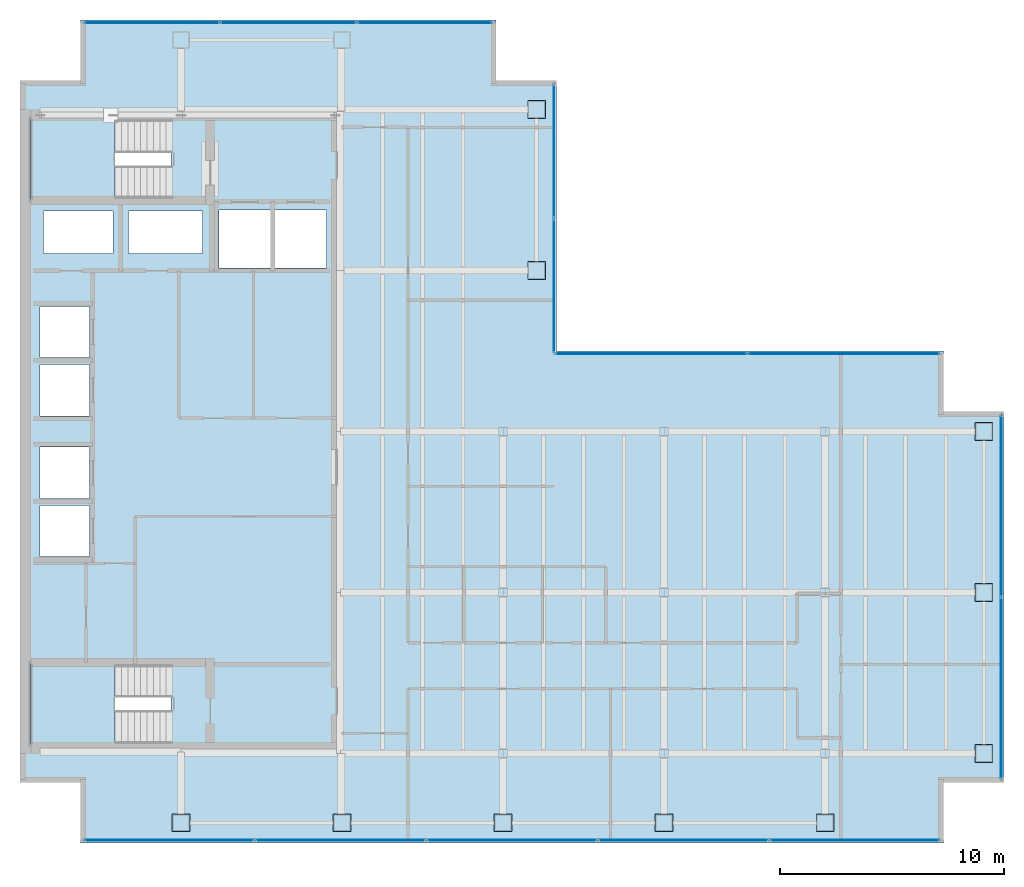
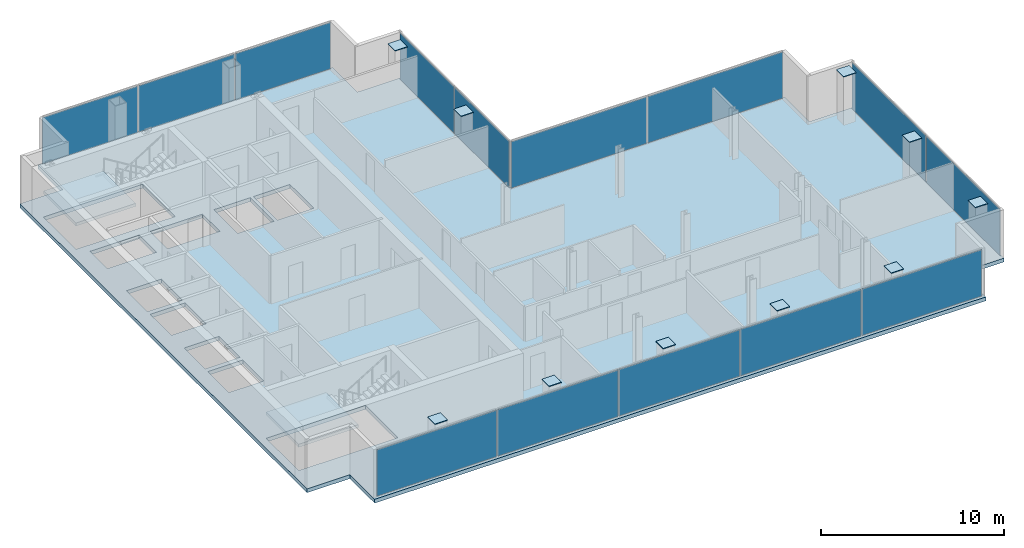
# One storey, part 19 of 23: 24 plates, 3 slabs, 10 openings, 7 elements without a shape of their own.
"""IFC4 building model written with IfcOpenShell, lengths in metres."""

import ifcopenshell
import ifcopenshell.guid

model = None  # the IFC model being written
_history = None  # IfcOwnerHistory: only IFC2X3 demands one
_inside = {}  # id of a spatial element -> (the spatial element, [elements in it])
_under = {}  # id of a project, library or spatial element -> (it, [spatial elements below it])
_declared = {}  # id of a project -> (the project, [libraries it declares])
_typed = {}  # id of a type object -> (the type object, [elements of that type])
_made_of = {}  # id of a material, layer set ... -> (it, [elements and type objects made of it])


def new_model(schema):
    """Start an empty IFC model of exactly this schema.

    Asked for "IFC4X3", IfcOpenShell would pick the latest addendum, in which some entities
    have other attributes; the version numbers below select the first issue.
    IFC2X3 requires an IfcOwnerHistory on every rooted entity: one is made here for all.
    """
    global model, _history
    if schema == "IFC4X3":
        model = ifcopenshell.file(schema_version=(4, 3, 0, 0))
    else:
        model = ifcopenshell.file(schema=schema)
    _inside.clear()
    _under.clear()
    _declared.clear()
    _typed.clear()
    _made_of.clear()
    _history = None
    if model.schema == "IFC2X3":
        org = make("IfcOrganization", Name="unknown")
        user = make(
            "IfcPersonAndOrganization",
            ThePerson=make("IfcPerson", FamilyName="unknown"),
            TheOrganization=org,
        )
        app = make(
            "IfcApplication",
            ApplicationDeveloper=org,
            Version="unknown",
            ApplicationFullName="unknown",
            ApplicationIdentifier="unknown",
        )
        _history = make(
            "IfcOwnerHistory",
            OwningUser=user,
            OwningApplication=app,
            ChangeAction="ADDED",
            CreationDate=0,
        )
    return model


def make(cls, **values):
    """One entity of the class cls with the attributes given. An attribute that is None is left unset."""
    return model.create_entity(
        cls, **{name: value for name, value in values.items() if value is not None}
    )


def rooted(cls, **values):
    """An entity with a GlobalId (a new one), such as an element, a storey or a relation."""
    return make(cls, GlobalId=ifcopenshell.guid.new(), OwnerHistory=_history, **values)


def si_unit(unit_type, name, prefix=None):
    """IfcSIUnit, for example si_unit("LENGTHUNIT", "METRE", prefix="MILLI")."""
    return make("IfcSIUnit", UnitType=unit_type, Prefix=prefix, Name=name)


def assignment(units):
    """IfcUnitAssignment: the units of a project."""
    return None if units is None else make("IfcUnitAssignment", Units=units)


def point(xyz):
    """IfcCartesianPoint."""
    return None if xyz is None else make("IfcCartesianPoint", Coordinates=xyz)


def direction(xyz):
    """IfcDirection."""
    return None if xyz is None else make("IfcDirection", DirectionRatios=xyz)


def frame(location, z_axis=None, x_axis=None):
    """IfcAxis2Placement3D, a coordinate frame: its origin and axes. An axis left out is left unset."""
    return make(
        "IfcAxis2Placement3D",
        Location=point(location),
        Axis=direction(z_axis),
        RefDirection=direction(x_axis),
    )


def frame_2d(location, x_axis=None):
    """IfcAxis2Placement2D, a coordinate frame in the plane: its origin and x axis."""
    return make(
        "IfcAxis2Placement2D", Location=point(location), RefDirection=direction(x_axis)
    )


def origin():
    """The frame at (0, 0, 0) with its axes left unset."""
    return frame((0.0, 0.0, 0.0))


def origin_2d():
    """The frame at (0, 0) in the plane with its x axis left unset."""
    return frame_2d((0.0, 0.0))


def place(relative_to, where):
    """IfcLocalPlacement: puts the frame where relative to a parent placement (None: the world)."""
    return make(
        "IfcLocalPlacement", PlacementRelTo=relative_to, RelativePlacement=where
    )


def context(
    kind, dimensions, precision=None, world=None, true_north=None, identifier=None
):
    """IfcGeometricRepresentationContext, for example the 3D "Model" context."""
    return make(
        "IfcGeometricRepresentationContext",
        ContextIdentifier=identifier,
        ContextType=kind,
        CoordinateSpaceDimension=dimensions,
        Precision=precision,
        WorldCoordinateSystem=world,
        TrueNorth=true_north,
    )


def subcontext(parent, identifier, kind, view, scale=None):
    """IfcGeometricRepresentationSubContext, for example "Body" below "Model"."""
    return make(
        "IfcGeometricRepresentationSubContext",
        ContextIdentifier=identifier,
        ContextType=kind,
        ParentContext=parent,
        TargetScale=scale,
        TargetView=view,
    )


def project(units=None, contexts=None):
    """IfcProject with its units and contexts."""
    return rooted(
        "IfcProject",
        Name="project",
        RepresentationContexts=contexts,
        UnitsInContext=assignment(units),
    )


def spatial(cls, under=None, at=None, **own):
    """A site, building, storey or space (cls), placed at a placement, below another one or the project."""
    s = rooted(cls, ObjectPlacement=at, **own)
    if under is not None:
        _under.setdefault(under.id(), (under, []))[1].append(s)
    return s


def polyline(points):
    """IfcPolyline through the points."""
    return make("IfcPolyline", Points=[point(p) for p in points])


def profile(cls, at=None, kind="AREA", **sizes):
    """A parametric profile (cls). Its sizes go by their IFC names, for example OverallWidth=200.0."""
    return make(cls, ProfileType=kind, Position=at, **sizes)


def rectangle(**sizes):
    """IfcRectangleProfileDef."""
    return profile("IfcRectangleProfileDef", **sizes)


def outline(outer, holes=None, kind="AREA"):
    """IfcArbitraryClosedProfileDef: a profile drawn as a closed curve; with holes, ...WithVoids."""
    if holes is None:
        return make("IfcArbitraryClosedProfileDef", ProfileType=kind, OuterCurve=outer)
    return make(
        "IfcArbitraryProfileDefWithVoids",
        ProfileType=kind,
        OuterCurve=outer,
        InnerCurves=holes,
    )


def extrude(swept, where, along, depth):
    """IfcExtrudedAreaSolid: the profile swept, set in the frame where, extruded along a direction by depth."""
    return make(
        "IfcExtrudedAreaSolid",
        SweptArea=swept,
        Position=where,
        ExtrudedDirection=direction(along),
        Depth=depth,
    )


def shape(context_of_items, identifier, shape_type, items):
    """IfcShapeRepresentation: the items that make up one representation, for example the "Body"."""
    return make(
        "IfcShapeRepresentation",
        ContextOfItems=context_of_items,
        RepresentationIdentifier=identifier,
        RepresentationType=shape_type,
        Items=items,
    )


def material(Name=None, Category=None):
    """IfcMaterial."""
    return make("IfcMaterial", Name=Name, Category=Category)


def layer(
    of_material, thickness, ventilated=None, Name=None, Category=None, Priority=None
):
    """IfcMaterialLayer: one layer of a wall or slab, of a material (None: an air gap)."""
    return make(
        "IfcMaterialLayer",
        Material=of_material,
        LayerThickness=thickness,
        IsVentilated=ventilated,
        Name=Name,
        Category=Category,
        Priority=Priority,
    )


def layer_set(layers, Name=None):
    """IfcMaterialLayerSet."""
    return make("IfcMaterialLayerSet", MaterialLayers=layers, LayerSetName=Name)


def made_of(thing, what):
    """Note that an element or type object is made of a material, layer set ...; save() writes the relation."""
    if what is not None:
        _made_of.setdefault(what.id(), (what, []))[1].append(thing)
    return thing


def type_object(cls, material=None, **own):
    """A type object (cls), such as IfcWallType, which elements share."""
    return made_of(rooted(cls, **own), material)


def element(
    cls,
    number,
    at=None,
    inside=None,
    cuts=None,
    type_object=None,
    material=None,
    context=None,
    identifier="Body",
    shape_type=None,
    held_by="IfcProductDefinitionShape",
    body=None,
    shapes=None,
    **own,
):
    """One element of the class cls, such as IfcWall. Its Tag is "e" and its number.

    at: its placement. inside: the storey or other place that contains it. cuts: it is an
    opening in that element (IfcRelVoidsElement). A single representation is given by context,
    identifier, shape_type and body (its items); several are given by shapes. held_by: the class
    of the entity that holds the representations. save() writes the other relations.
    """
    e = rooted(cls, Tag="e%d" % number, ObjectPlacement=at, **own)
    if body is not None:
        shapes = [shape(context, identifier, shape_type, body)]
    if shapes is not None:
        e.Representation = make(held_by, Representations=shapes)
    if inside is not None:
        _inside.setdefault(inside.id(), (inside, []))[1].append(e)
    if cuts is not None:
        rooted(
            "IfcRelVoidsElement", RelatingBuildingElement=cuts, RelatedOpeningElement=e
        )
    if type_object is not None:
        _typed.setdefault(type_object.id(), (type_object, []))[1].append(e)
    return made_of(e, material)


def aggregate(whole, parts):
    """IfcRelAggregates: a whole, such as a stair, and the parts it consists of."""
    return rooted("IfcRelAggregates", RelatingObject=whole, RelatedObjects=parts)


def save(model, path):
    """Write the relations noted so far, then the file.

    IfcRelAggregates (storeys below a building ...), IfcRelContainedInSpatialStructure (elements
    in a storey), IfcRelDefinesByType, IfcRelAssociatesMaterial and IfcRelDeclares: one each for
    every whole, place, type object, material and project.
    """
    for whole, parts in _under.values():
        aggregate(whole, parts)
    for where, things in _inside.values():
        rooted(
            "IfcRelContainedInSpatialStructure",
            RelatedElements=things,
            RelatingStructure=where,
        )
    for kind, things in _typed.values():
        rooted("IfcRelDefinesByType", RelatedObjects=things, RelatingType=kind)
    for what, things in _made_of.values():
        rooted("IfcRelAssociatesMaterial", RelatedObjects=things, RelatingMaterial=what)
    for by, libraries in _declared.values():
        rooted("IfcRelDeclares", RelatingContext=by, RelatedDefinitions=libraries)
    model.write(path)


model = new_model("IFC4")

# Units and contexts
model_context = context("Model", 3, precision=1e-05, world=origin(), true_north=direction((0.0, 1.0)))
body_context = subcontext(model_context, "Body", "Model", "MODEL_VIEW")
ifc_project = project(units=[si_unit("LENGTHUNIT", "METRE"), si_unit("AREAUNIT", "SQUARE_METRE"), si_unit("VOLUMEUNIT", "CUBIC_METRE"), si_unit("PLANEANGLEUNIT", "RADIAN"), si_unit("MASSUNIT", "GRAM", prefix="KILO")], contexts=[model_context])

# Site, building, storey
site_placement = place(None, origin())
site = spatial("IfcSite", under=ifc_project, at=site_placement, CompositionType="ELEMENT")
building_placement = place(site_placement, origin())
building = spatial("IfcBuilding", under=site, at=building_placement, Name="Cobrela Telecom Tower", CompositionType="ELEMENT")
storey_placement = place(building_placement, frame((0.0, 0.0, 229.25)))
storey = spatial("IfcBuildingStorey", under=building, at=storey_placement, Name="L59", CompositionType="ELEMENT", Elevation=229.25)

# Curtain wall, plates
ifc_material_1 = material(Name="Anodized Bronze Aluminium 6063-T6", Category="aluminium")
curtain_wall_type = type_object("IfcCurtainWallType", Name="CW-SYS-OFF-LO", PredefinedType="USERDEFINED", material=ifc_material_1)
curtain_wall_1_placement = place(storey_placement, origin())
curtain_wall_1 = element("IfcCurtainWall", 1, at=curtain_wall_1_placement, inside=storey, type_object=curtain_wall_type, Name="L59 Unitised Bronze Curtain Wall 07", ObjectType="UNITISED CURTAIN WALL", PredefinedType="USERDEFINED")
ifc_material_2 = material(Name="Solar-Control Bronze Low-E Glass", Category="glass")
ifc_layer_1 = layer(ifc_material_2, 0.031982421875)
ifc_layer_set_1 = layer_set([ifc_layer_1], Name="Solar-Control Bronze Low-E Glass")
plate_type_1 = type_object("IfcPlateType", Name="CW-SYS-OFF-LO-PNL", PredefinedType="CURTAIN_PANEL", material=ifc_layer_set_1)
plate_1_placement = place(storey_placement, frame((5.904052734375, 39.8798828125, 0.070068359375), z_axis=(0.0, 0.0, 1.0), x_axis=(1.0, 0.0, 0.0)))
plate_1 = element("IfcPlate", 2, at=plate_1_placement, type_object=plate_type_1, Name="CW-OFF-LO panel 1.1", PredefinedType="CURTAIN_PANEL", context=body_context, shape_type="SweptSolid", body=[
    extrude(rectangle(XDim=6.00830078125, YDim=0.031982421875, at=origin_2d()), origin(), (0.0, 0.0, 1.0), 3.10009765625),
])
plate_2_placement = place(storey_placement, frame((12.0, 39.8798828125, 0.070068359375), z_axis=(0.0, 0.0, 1.0), x_axis=(1.0, 0.0, 0.0)))
plate_2 = element("IfcPlate", 3, at=plate_2_placement, type_object=plate_type_1, Name="CW-OFF-LO panel 2.1", PredefinedType="CURTAIN_PANEL", context=body_context, shape_type="SweptSolid", body=[
    extrude(rectangle(XDim=6.043212890625, YDim=0.031982421875, at=origin_2d()), origin(), (0.0, 0.0, 1.0), 3.10009765625),
])
plate_3_placement = place(storey_placement, frame((18.095947265625, 39.8798828125, 0.070068359375), z_axis=(0.0, 0.0, 1.0), x_axis=(1.0, 0.0, 0.0)))
plate_3 = element("IfcPlate", 4, at=plate_3_placement, type_object=plate_type_1, Name="CW-OFF-LO panel 3.1", PredefinedType="CURTAIN_PANEL", context=body_context, shape_type="SweptSolid", body=[
    extrude(rectangle(XDim=6.00830078125, YDim=0.031982421875, at=origin_2d()), origin(), (0.0, 0.0, 1.0), 3.10009765625),
])
aggregate(curtain_wall_1, [plate_1, plate_2, plate_3])

curtain_wall_2_placement = place(storey_placement, origin())
curtain_wall_2 = element("IfcCurtainWall", 5, at=curtain_wall_2_placement, inside=storey, type_object=curtain_wall_type, Name="L59 Unitised Bronze Curtain Wall 10", ObjectType="UNITISED CURTAIN WALL", PredefinedType="USERDEFINED")
plate_4_placement = place(storey_placement, frame((23.8798828125, 34.1298828125, 0.070068359375), z_axis=(0.0, 0.0, 1.0), x_axis=(0.0, -1.0, 0.0)))
plate_4 = element("IfcPlate", 6, at=plate_4_placement, type_object=plate_type_1, Name="CW-OFF-LO panel 1.1", PredefinedType="CURTAIN_PANEL", context=body_context, shape_type="SweptSolid", body=[
    extrude(rectangle(XDim=5.93994140625, YDim=0.031982421875, at=origin_2d()), origin(), (0.0, 0.0, 1.0), 3.10009765625),
])
plate_5_placement = place(storey_placement, frame((23.8798828125, 28.1201171875, 0.070068359375), z_axis=(0.0, 0.0, 1.0), x_axis=(0.0, -1.0, 0.0)))
plate_5 = element("IfcPlate", 7, at=plate_5_placement, type_object=plate_type_1, Name="CW-OFF-LO panel 2.1", PredefinedType="CURTAIN_PANEL", context=body_context, shape_type="SweptSolid", body=[
    extrude(rectangle(XDim=5.93994140625, YDim=0.031982421875, at=origin_2d()), origin(), (0.0, 0.0, 1.0), 3.10009765625),
])
aggregate(curtain_wall_2, [plate_4, plate_5])

curtain_wall_3_placement = place(storey_placement, origin())
curtain_wall_3 = element("IfcCurtainWall", 8, at=curtain_wall_3_placement, inside=storey, type_object=curtain_wall_type, Name="L59 Unitised Bronze Curtain Wall 11", ObjectType="UNITISED CURTAIN WALL", PredefinedType="USERDEFINED")
plate_6_placement = place(storey_placement, frame((28.219970703125, 25.080078125, 0.070068359375), z_axis=(0.0, 0.0, 1.0), x_axis=(1.0, 0.0, 0.0)))
plate_6 = element("IfcPlate", 9, at=plate_6_placement, type_object=plate_type_1, Name="CW-OFF-LO panel 1.1", PredefinedType="CURTAIN_PANEL", context=body_context, shape_type="SweptSolid", body=[
    extrude(rectangle(XDim=8.5400390625, YDim=0.031982421875, at=origin_2d()), origin(), (0.0, 0.0, 1.0), 3.10009765625),
])
plate_7_placement = place(storey_placement, frame((36.830078125, 25.080078125, 0.070068359375), z_axis=(0.0, 0.0, 1.0), x_axis=(1.0, 0.0, 0.0)))
plate_7 = element("IfcPlate", 10, at=plate_7_placement, type_object=plate_type_1, Name="CW-OFF-LO panel 2.1", PredefinedType="CURTAIN_PANEL", context=body_context, shape_type="SweptSolid", body=[
    extrude(rectangle(XDim=8.5400390625, YDim=0.031982421875, at=origin_2d()), origin(), (0.0, 0.0, 1.0), 3.10009765625),
])
aggregate(curtain_wall_3, [plate_6, plate_7])

curtain_wall_4_placement = place(storey_placement, origin())
curtain_wall_4 = element("IfcCurtainWall", 11, at=curtain_wall_4_placement, inside=storey, type_object=curtain_wall_type, Name="L59 Unitised Bronze Curtain Wall 14", ObjectType="UNITISED CURTAIN WALL", PredefinedType="USERDEFINED")
plate_8_placement = place(storey_placement, frame((43.8798828125, 18.267578125, 0.070068359375), z_axis=(0.0, 0.0, 1.0), x_axis=(0.0, -1.0, 0.0)))
plate_8 = element("IfcPlate", 12, at=plate_8_placement, type_object=plate_type_1, Name="CW-OFF-LO panel 1.1", PredefinedType="CURTAIN_PANEL", context=body_context, shape_type="SweptSolid", body=[
    extrude(rectangle(XDim=8.06494140625, YDim=0.031982421875, at=origin_2d()), origin(), (0.0, 0.0, 1.0), 3.10009765625),
])
plate_9_placement = place(storey_placement, frame((43.8798828125, 10.132568359375, 0.070068359375), z_axis=(0.0, 0.0, 1.0), x_axis=(0.0, -1.0, 0.0)))
plate_9 = element("IfcPlate", 13, at=plate_9_placement, type_object=plate_type_1, Name="CW-OFF-LO panel 2.1", PredefinedType="CURTAIN_PANEL", context=body_context, shape_type="SweptSolid", body=[
    extrude(rectangle(XDim=8.06494140625, YDim=0.031982421875, at=origin_2d()), origin(), (0.0, 0.0, 1.0), 3.10009765625),
])
aggregate(curtain_wall_4, [plate_8, plate_9])

curtain_wall_5_placement = place(storey_placement, origin())
curtain_wall_5 = element("IfcCurtainWall", 14, at=curtain_wall_5_placement, inside=storey, type_object=curtain_wall_type, Name="L59 Unitised Bronze Curtain Wall 17", ObjectType="UNITISED CURTAIN WALL", PredefinedType="USERDEFINED")
plate_10_placement = place(storey_placement, frame((37.318603515625, 3.320068359375, 0.070068359375), z_axis=(0.0, 0.0, 1.0), x_axis=(-1.0, 0.0, 0.0)))
plate_10 = element("IfcPlate", 15, at=plate_10_placement, type_object=plate_type_1, Name="CW-OFF-LO panel 1.1", PredefinedType="CURTAIN_PANEL", context=body_context, shape_type="SweptSolid", body=[
    extrude(rectangle(XDim=7.56298828125, YDim=0.031982421875, at=origin_2d()), origin(), (0.0, 0.0, 1.0), 3.10009765625),
])
plate_11_placement = place(storey_placement, frame((29.66796875, 3.320068359375, 0.070068359375), z_axis=(0.0, 0.0, 1.0), x_axis=(-1.0, 0.0, 0.0)))
plate_11 = element("IfcPlate", 16, at=plate_11_placement, type_object=plate_type_1, Name="CW-OFF-LO panel 2.1", PredefinedType="CURTAIN_PANEL", context=body_context, shape_type="SweptSolid", body=[
    extrude(rectangle(XDim=7.597900390625, YDim=0.031982421875, at=origin_2d()), origin(), (0.0, 0.0, 1.0), 3.10009765625),
])
plate_12_placement = place(storey_placement, frame((22.0, 3.320068359375, 0.070068359375), z_axis=(0.0, 0.0, 1.0), x_axis=(-1.0, 0.0, 0.0)))
plate_12 = element("IfcPlate", 17, at=plate_12_placement, type_object=plate_type_1, Name="CW-OFF-LO panel 3.1", PredefinedType="CURTAIN_PANEL", context=body_context, shape_type="SweptSolid", body=[
    extrude(rectangle(XDim=7.597900390625, YDim=0.031982421875, at=origin_2d()), origin(), (0.0, 0.0, 1.0), 3.10009765625),
])
plate_13_placement = place(storey_placement, frame((14.33203125, 3.320068359375, 0.070068359375), z_axis=(0.0, 0.0, 1.0), x_axis=(-1.0, 0.0, 0.0)))
plate_13 = element("IfcPlate", 18, at=plate_13_placement, type_object=plate_type_1, Name="CW-OFF-LO panel 4.1", PredefinedType="CURTAIN_PANEL", context=body_context, shape_type="SweptSolid", body=[
    extrude(rectangle(XDim=7.597900390625, YDim=0.031982421875, at=origin_2d()), origin(), (0.0, 0.0, 1.0), 3.10009765625),
])
plate_14_placement = place(storey_placement, frame((6.681396484375, 3.320068359375, 0.070068359375), z_axis=(0.0, 0.0, 1.0), x_axis=(-1.0, 0.0, 0.0)))
plate_14 = element("IfcPlate", 19, at=plate_14_placement, type_object=plate_type_1, Name="CW-OFF-LO panel 5.1", PredefinedType="CURTAIN_PANEL", context=body_context, shape_type="SweptSolid", body=[
    extrude(rectangle(XDim=7.56298828125, YDim=0.031982421875, at=origin_2d()), origin(), (0.0, 0.0, 1.0), 3.10009765625),
])
aggregate(curtain_wall_5, [plate_10, plate_11, plate_12, plate_13, plate_14])

# Plates
ifc_material_3 = material(Name="Steel ASTM A572 Grade 50", Category="steel")
ifc_layer_2 = layer(ifc_material_3, 0.044921875)
ifc_layer_set_2 = layer_set([ifc_layer_2], Name="Steel ASTM A572 Grade 50")
plate_type_2 = type_object("IfcPlateType", Name="PLT-END-CAP-45", PredefinedType="SHEET", material=ifc_layer_set_2)
for number, where, z_axis, x_axis, name in (
    (20, (7.199951171875, 4.10009765625, 3.237548828125), (0.0, 0.0, 1.0), (1.0, 0.0, 0.0), "L59 Mega-Column Top End Cap Plate 36"),
    (21, (14.39990234375, 4.10009765625, 3.237548828125), (0.0, 0.0, 1.0), (1.0, 0.0, 0.0), "L59 Mega-Column Top End Cap Plate 37"),
    (22, (21.60009765625, 4.10009765625, 3.237548828125), (0.0, 0.0, 1.0), (1.0, 0.0, 0.0), "L59 Mega-Column Top End Cap Plate 38"),
    (23, (23.10009765625, 28.800048828125, 3.237548828125), (0.0, 0.0, 1.0), (1.0, 0.0, 0.0), "L59 Mega-Column Top End Cap Plate 39"),
    (24, (23.10009765625, 36.0, 3.237548828125), (0.0, 0.0, 1.0), (1.0, 0.0, 0.0), "L59 Mega-Column Top End Cap Plate 40"),
    (25, (28.800048828125, 4.10009765625, 3.237548828125), (0.0, 0.0, 1.0), (1.0, 0.0, 0.0), "L59 Mega-Column Top End Cap Plate 41"),
    (26, (36.0, 4.10009765625, 3.237548828125), (0.0, 0.0, 1.0), (1.0, 0.0, 0.0), "L59 Mega-Column Top End Cap Plate 42"),
    (27, (43.10009765625, 7.199951171875, 3.237548828125), (0.0, 0.0, 1.0), (1.0, 0.0, 0.0), "L59 Mega-Column Top End Cap Plate 43"),
    (28, (43.10009765625, 14.39990234375, 3.237548828125), (0.0, 0.0, 1.0), (1.0, 0.0, 0.0), "L59 Mega-Column Top End Cap Plate 44"),
    (29, (43.10009765625, 21.60009765625, 3.237548828125), (0.0, 0.0, 1.0), (1.0, 0.0, 0.0), "L59 Mega-Column Top End Cap Plate 45"),
):
    element("IfcPlate", number, at=place(storey_placement, frame(where, z_axis=z_axis, x_axis=x_axis)), inside=storey, type_object=plate_type_2, Name=name, PredefinedType="SHEET", context=body_context, shape_type="SweptSolid", body=[
        extrude(rectangle(XDim=0.7900390625, YDim=0.7900390625, at=origin_2d()), origin(), (0.0, 0.0, 1.0), 0.044921875),
    ])

# Slab, openings
ifc_material_4 = material(Name="Concrete C40/50", Category="concrete")
ifc_layer_3 = layer(ifc_material_4, 0.260009765625)
ifc_layer_set_3 = layer_set([ifc_layer_3], Name="Concrete C40/50")
slab_type_1 = type_object("IfcSlabType", Name="SLAB-FLR-260", PredefinedType="FLOOR", material=ifc_layer_set_3)
slab_1_placement = place(storey_placement, frame((0.0, 0.0, -0.260009765625)))
slab_1 = element("IfcSlab", 30, at=slab_1_placement, inside=storey, type_object=slab_type_1, Name="L59 Structural Floor Slab", PredefinedType="FLOOR", context=body_context, shape_type="SweptSolid", body=[
    extrude(outline(polyline([(2.7099609375, 3.199951171875), (41.2900390625, 3.199951171875), (41.2900390625, 5.909912109375), (44.0, 5.909912109375), (44.0, 22.489990234375), (41.2900390625, 22.489990234375), (41.2900390625, 25.199951171875), (24.0, 25.199951171875), (24.0, 37.2900390625), (21.2900390625, 37.2900390625), (21.2900390625, 40.0), (2.7099609375, 40.0), (2.7099609375, 37.2900390625), (0.0, 37.2900390625), (0.0, 5.909912109375), (2.7099609375, 5.909912109375), (2.7099609375, 3.199951171875)])), origin(), (0.0, 0.0, 1.0), 0.260009765625),
])
opening_1_placement = place(slab_1_placement, frame((0.0, 0.0, -0.02001953125)))
element("IfcOpeningElement", 31, at=opening_1_placement, cuts=slab_1, Name="Slab Shaft Opening SLAB-L59-MAIN.1", PredefinedType="OPENING", context=body_context, shape_type="SweptSolid", body=[
    extrude(outline(polyline([(8.89990234375, 28.89990234375), (11.199951171875, 28.89990234375), (11.199951171875, 31.5), (8.89990234375, 31.5), (8.89990234375, 28.89990234375)])), origin(), (0.0, 0.0, 1.0), 0.300048828125),
])
opening_2_placement = place(slab_1_placement, frame((0.0, 0.0, -0.02001953125)))
element("IfcOpeningElement", 32, at=opening_2_placement, cuts=slab_1, Name="Slab Shaft Opening SLAB-L59-MAIN.2", PredefinedType="OPENING", context=body_context, shape_type="SweptSolid", body=[
    extrude(outline(polyline([(11.39990234375, 28.89990234375), (13.699951171875, 28.89990234375), (13.699951171875, 31.5), (11.39990234375, 31.5), (11.39990234375, 28.89990234375)])), origin(), (0.0, 0.0, 1.0), 0.300048828125),
])
opening_3_placement = place(slab_1_placement, frame((0.0, 0.0, -0.02001953125)))
element("IfcOpeningElement", 33, at=opening_3_placement, cuts=slab_1, Name="Slab Shaft Opening SLAB-L59-MAIN.3", PredefinedType="OPENING", context=body_context, shape_type="SweptSolid", body=[
    extrude(outline(polyline([(0.89990234375, 16.0), (3.10009765625, 16.0), (3.10009765625, 18.300048828125), (0.89990234375, 18.300048828125), (0.89990234375, 16.0)])), origin(), (0.0, 0.0, 1.0), 0.300048828125),
])
opening_4_placement = place(slab_1_placement, frame((0.0, 0.0, -0.02001953125)))
element("IfcOpeningElement", 34, at=opening_4_placement, cuts=slab_1, Name="Slab Shaft Opening SLAB-L59-MAIN.4", PredefinedType="OPENING", context=body_context, shape_type="SweptSolid", body=[
    extrude(outline(polyline([(0.89990234375, 18.60009765625), (3.10009765625, 18.60009765625), (3.10009765625, 20.89990234375), (0.89990234375, 20.89990234375), (0.89990234375, 18.60009765625)])), origin(), (0.0, 0.0, 1.0), 0.300048828125),
])
opening_5_placement = place(slab_1_placement, frame((0.0, 0.0, -0.02001953125)))
element("IfcOpeningElement", 35, at=opening_5_placement, cuts=slab_1, Name="Slab Shaft Opening SLAB-L59-MAIN.5", PredefinedType="OPENING", context=body_context, shape_type="SweptSolid", body=[
    extrude(outline(polyline([(0.89990234375, 22.300048828125), (3.10009765625, 22.300048828125), (3.10009765625, 24.60009765625), (0.89990234375, 24.60009765625), (0.89990234375, 22.300048828125)])), origin(), (0.0, 0.0, 1.0), 0.300048828125),
])
opening_6_placement = place(slab_1_placement, frame((0.0, 0.0, -0.02001953125)))
element("IfcOpeningElement", 36, at=opening_6_placement, cuts=slab_1, Name="Slab Shaft Opening SLAB-L59-MAIN.6", PredefinedType="OPENING", context=body_context, shape_type="SweptSolid", body=[
    extrude(outline(polyline([(0.89990234375, 24.89990234375), (3.10009765625, 24.89990234375), (3.10009765625, 27.199951171875), (0.89990234375, 27.199951171875), (0.89990234375, 24.89990234375)])), origin(), (0.0, 0.0, 1.0), 0.300048828125),
])
opening_7_placement = place(slab_1_placement, frame((0.0, 0.0, -0.02001953125)))
element("IfcOpeningElement", 37, at=opening_7_placement, cuts=slab_1, Name="Slab Shaft Opening SLAB-L59-MAIN.7", PredefinedType="OPENING", context=body_context, shape_type="SweptSolid", body=[
    extrude(outline(polyline([(1.050048828125, 29.550048828125), (4.14990234375, 29.550048828125), (4.14990234375, 31.449951171875), (1.050048828125, 31.449951171875), (1.050048828125, 29.550048828125)])), origin(), (0.0, 0.0, 1.0), 0.300048828125),
])
opening_8_placement = place(slab_1_placement, frame((0.0, 0.0, -0.02001953125)))
element("IfcOpeningElement", 38, at=opening_8_placement, cuts=slab_1, Name="Slab Shaft Opening SLAB-L59-MAIN.8", PredefinedType="OPENING", context=body_context, shape_type="SweptSolid", body=[
    extrude(outline(polyline([(4.85009765625, 29.550048828125), (8.14990234375, 29.550048828125), (8.14990234375, 31.449951171875), (4.85009765625, 31.449951171875), (4.85009765625, 29.550048828125)])), origin(), (0.0, 0.0, 1.0), 0.300048828125),
])
opening_9_placement = place(slab_1_placement, frame((0.0, 0.0, -0.02001953125)))
element("IfcOpeningElement", 39, at=opening_9_placement, cuts=slab_1, Name="Slab Shaft Opening SLAB-L59-MAIN.9", PredefinedType="OPENING", context=body_context, shape_type="SweptSolid", body=[
    extrude(outline(polyline([(6.7548828125, 35.550048828125), (0.47998046875, 35.550048828125), (0.47998046875, 32.0), (6.7548828125, 32.0), (6.7548828125, 35.550048828125)])), origin(), (0.0, 0.0, 1.0), 0.300048828125),
])
opening_10_placement = place(slab_1_placement, frame((0.0, 0.0, -0.02001953125)))
element("IfcOpeningElement", 40, at=opening_10_placement, cuts=slab_1, Name="Slab Shaft Opening SLAB-L59-MAIN.10", PredefinedType="OPENING", context=body_context, shape_type="SweptSolid", body=[
    extrude(outline(polyline([(6.7548828125, 11.199951171875), (0.47998046875, 11.199951171875), (0.47998046875, 7.64990234375), (6.7548828125, 7.64990234375), (6.7548828125, 11.199951171875)])), origin(), (0.0, 0.0, 1.0), 0.300048828125),
])

# Stair, slab
stair_type = type_object("IfcStairType", Name="STAIR-CORE", PredefinedType="HALF_TURN_STAIR", material=ifc_material_4)
stair_1_placement = place(storey_placement, origin())
stair_1 = element("IfcStair", 41, at=stair_1_placement, inside=storey, type_object=stair_type, Name="L59 Smokeproof Exit Stair ST1", PredefinedType="HALF_TURN_STAIR")
ifc_layer_4 = layer(ifc_material_4, 0.199951171875)
ifc_layer_set_4 = layer_set([ifc_layer_4], Name="Concrete C40/50")
slab_type_2 = type_object("IfcSlabType", Name="SLAB-LAND-200", PredefinedType="LANDING", material=ifc_layer_set_4)
slab_2_placement = place(storey_placement, frame((0.0, 0.0, 1.550048828125)))
slab_2 = element("IfcSlab", 42, at=slab_2_placement, type_object=slab_type_2, Name="ST1 landing 1", PredefinedType="LANDING", context=body_context, shape_type="SweptSolid", body=[
    extrude(outline(polyline([(4.2548828125, 35.550048828125), (0.47998046875, 35.550048828125), (0.47998046875, 32.0), (4.2548828125, 32.0), (4.2548828125, 35.550048828125)])), origin(), (0.0, 0.0, 1.0), 0.199951171875),
])
aggregate(stair_1, [slab_2])

stair_2_placement = place(storey_placement, origin())
stair_2 = element("IfcStair", 43, at=stair_2_placement, inside=storey, type_object=stair_type, Name="L59 Smokeproof Exit Stair ST2", PredefinedType="HALF_TURN_STAIR")
slab_3_placement = place(storey_placement, frame((0.0, 0.0, 1.550048828125)))
slab_3 = element("IfcSlab", 44, at=slab_3_placement, type_object=slab_type_2, Name="ST2 landing 1", PredefinedType="LANDING", context=body_context, shape_type="SweptSolid", body=[
    extrude(outline(polyline([(4.2548828125, 11.199951171875), (0.47998046875, 11.199951171875), (0.47998046875, 7.64990234375), (4.2548828125, 7.64990234375), (4.2548828125, 11.199951171875)])), origin(), (0.0, 0.0, 1.0), 0.199951171875),
])
aggregate(stair_2, [slab_3])

save(model, "model.ifc")
